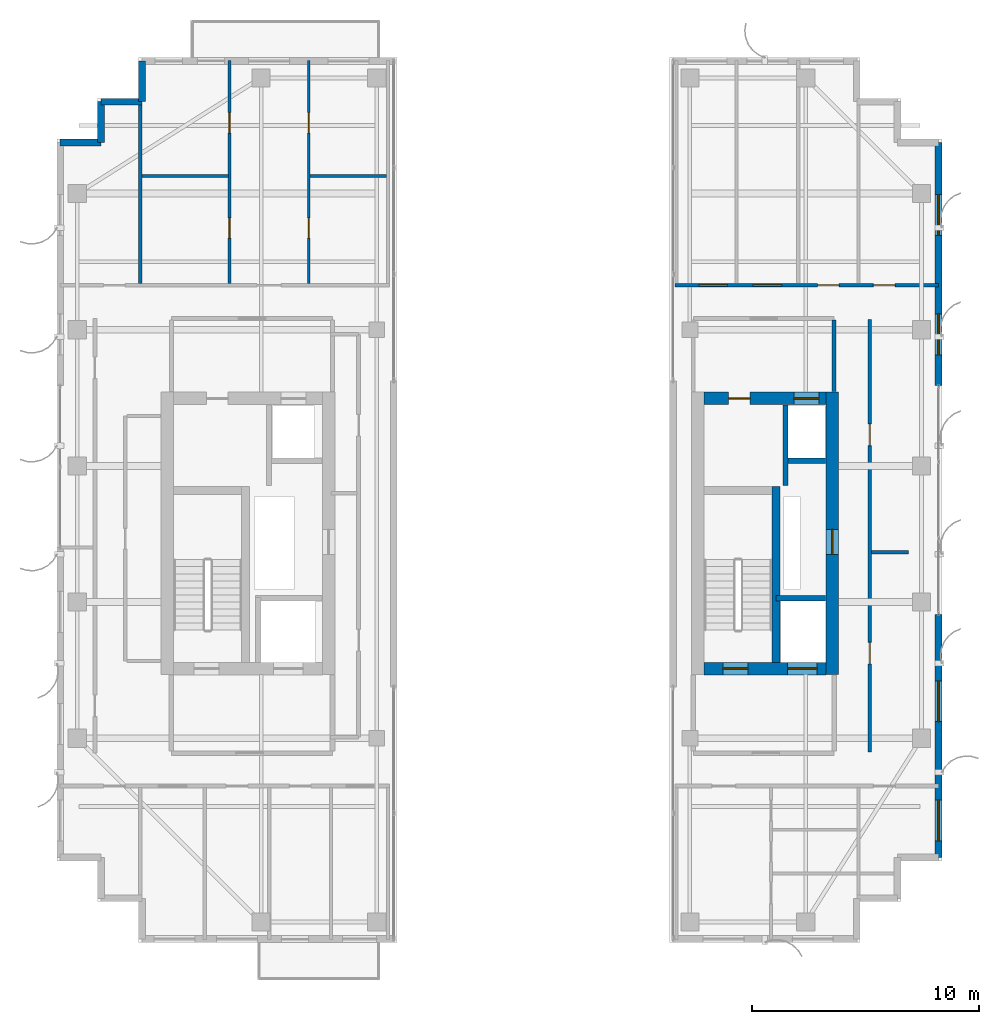
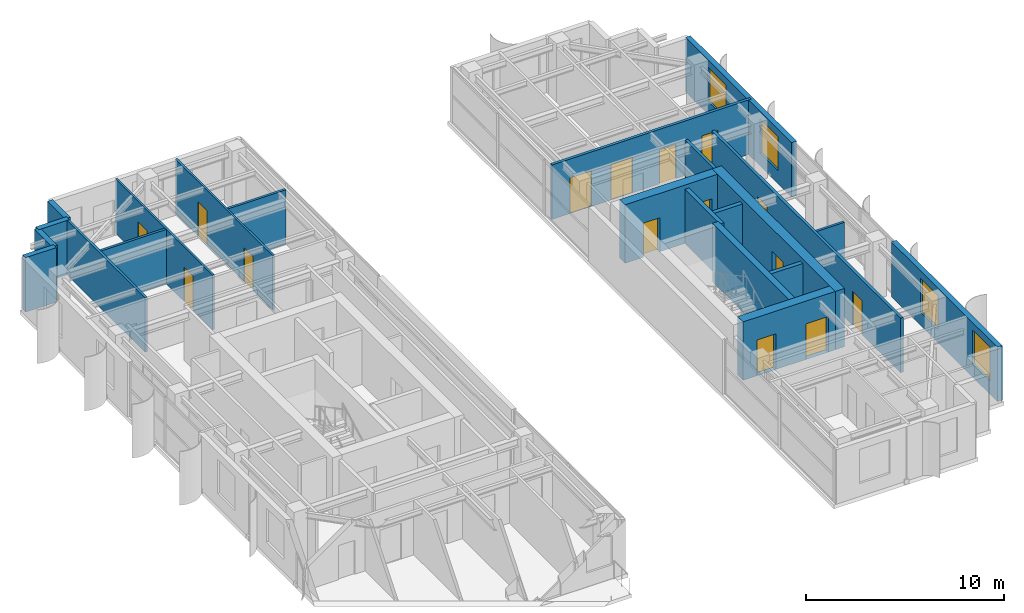
# One storey, part 19 of 23: 22 walls, 15 doors, 4 windows, 19 openings.
"""IFC4 building model written with IfcOpenShell, lengths in metres."""

from ifc_helpers import new_model, si_unit, direction, frame, frame_2d, origin, place, context, subcontext, project, spatial, rectangle, extrude, source, transform, mapped, material, layer, layer_set, type_object, element, fill, save


model = new_model("IFC4")

# Units and contexts
model_context = context("Model", 3, precision=1e-05, world=origin(), true_north=direction((0.0, 1.0)))
body_context = subcontext(model_context, "Body", "Model", "MODEL_VIEW")
ifc_project = project(units=[si_unit("LENGTHUNIT", "METRE"), si_unit("AREAUNIT", "SQUARE_METRE"), si_unit("VOLUMEUNIT", "CUBIC_METRE"), si_unit("PLANEANGLEUNIT", "RADIAN"), si_unit("MASSUNIT", "GRAM", prefix="KILO")], contexts=[model_context])

# Site, building, storey
site_placement = place(None, origin())
site = spatial("IfcSite", under=ifc_project, at=site_placement, CompositionType="ELEMENT")
building_placement = place(site_placement, origin())
building = spatial("IfcBuilding", under=site, at=building_placement, Name="Khoralis Quay Care Tower", CompositionType="ELEMENT")
storey_placement = place(building_placement, frame((0.0, 0.0, 245.699951171875)))
storey = spatial("IfcBuildingStorey", under=building, at=storey_placement, Name="L64", CompositionType="ELEMENT", Elevation=245.699951171875)

# Wall, opening, door
ifc_material_1 = material(Name="Concrete C65/80", Category="concrete")
ifc_layer_1 = layer(ifc_material_1, 0.550048828125)
ifc_layer_set_1 = layer_set([ifc_layer_1], Name="Concrete C65/80")
wall_type_1 = type_object("IfcWallType", Name="WL-CORE-550", PredefinedType="SHEAR", material=ifc_layer_set_1)
wall_1_placement = place(storey_placement, frame((37.175048828125, 14.800048828125, 0.0), z_axis=(0.0, 0.0, 1.0), x_axis=(0.0, 1.0, 0.0)))
wall_1 = element("IfcWall", 1, at=wall_1_placement, inside=storey, type_object=wall_type_1, Name="L64 ECORE East Shear Wall", PredefinedType="SHEAR", context=body_context, shape_type="SweptSolid", body=[
    extrude(rectangle(XDim=12.449951171875, YDim=0.550048828125, at=frame_2d((6.22509765625, 0.0))), origin(), (0.0, 0.0, 1.0), 3.60009765625),
])
opening_1_placement = place(wall_1_placement, frame((5.300048828125, 0.0, 0.0)))
opening_1 = element("IfcOpeningElement", 2, at=opening_1_placement, cuts=wall_1, Name="Opening SD1", PredefinedType="OPENING", context=body_context, shape_type="SweptSolid", body=[
    extrude(rectangle(XDim=1.10009765625, YDim=2.199951171875, at=frame_2d((0.550048828125, 1.10009765625))), frame((0.0, 0.28515625, 0.0), z_axis=(0.0, -1.0, 0.0), x_axis=(1.0, 0.0, 0.0)), (0.0, 0.0, 1.0), 0.570068359375),
])
ifc_material_2 = material(Name="Fire-rated painted steel", Category="steel")
door_type_1 = type_object("IfcDoorType", Name="DR-STAIR-1100X2200", OperationType="NOTDEFINED", PredefinedType="DOOR", material=ifc_material_2)
shared_shape_1 = source(origin(), body_context, "Body", "SweptSolid", [
    extrude(rectangle(XDim=1.10009765625, YDim=2.199951171875, at=frame_2d((0.550048828125, 1.10009765625))), frame((0.0, 0.02490234375, 0.0), z_axis=(0.0, -1.0, 0.0), x_axis=(1.0, 0.0, 0.0)), (0.0, 0.0, 1.0), 0.050048828125),
])
door_1_placement = place(opening_1_placement, frame((1.10009765625, 0.0, 0.0), z_axis=(0.0, 0.0, 1.0), x_axis=(-1.0, 0.0, 0.0)))
door_1 = element("IfcDoor", 3, at=door_1_placement, inside=storey, type_object=door_type_1, Name="L64 East MEP Riser Door", OperationType="SINGLE_SWING_LEFT", OverallHeight=2.199951171875, OverallWidth=1.10009765625, PredefinedType="DOOR", context=body_context, shape_type="MappedRepresentation", body=[
    mapped(shared_shape_1, transform((0.0, 0.0, 0.0), scale=1.0)),
])
fill(opening_1, door_1)

# Wall, openings, doors
wall_2_placement = place(storey_placement, frame((31.52001953125, 15.074951171875, 0.0), z_axis=(0.0, 0.0, 1.0), x_axis=(1.0, 0.0, 0.0)))
wall_2 = element("IfcWall", 4, at=wall_2_placement, inside=storey, type_object=wall_type_1, Name="L64 ECORE South Shear Wall", PredefinedType="SHEAR", context=body_context, shape_type="SweptSolid", body=[
    extrude(rectangle(XDim=5.3798828125, YDim=0.550048828125, at=frame_2d((2.68994140625, 0.0))), origin(), (0.0, 0.0, 1.0), 3.60009765625),
])
opening_2_placement = place(wall_2_placement, frame((0.830078125, 0.0, 0.0)))
opening_2 = element("IfcOpeningElement", 5, at=opening_2_placement, cuts=wall_2, Name="Opening SD1", PredefinedType="OPENING", context=body_context, shape_type="SweptSolid", body=[
    extrude(rectangle(XDim=1.10009765625, YDim=2.199951171875, at=frame_2d((0.550048828125, 1.10009765625))), frame((0.0, 0.28515625, 0.0), z_axis=(0.0, -1.0, 0.0), x_axis=(1.0, 0.0, 0.0)), (0.0, 0.0, 1.0), 0.570068359375),
])
opening_3_placement = place(wall_2_placement, frame((3.679931640625, 0.0, 0.0)))
opening_3 = element("IfcOpeningElement", 6, at=opening_3_placement, cuts=wall_2, Name="Opening LD2", PredefinedType="OPENING", context=body_context, shape_type="SweptSolid", body=[
    extrude(rectangle(XDim=1.300048828125, YDim=2.199951171875, at=frame_2d((0.64990234375, 1.10009765625))), frame((0.0, 0.28515625, 0.0), z_axis=(0.0, -1.0, 0.0), x_axis=(1.0, 0.0, 0.0)), (0.0, 0.0, 1.0), 0.570068359375),
])
door_2_placement = place(opening_2_placement, origin())
door_2 = element("IfcDoor", 7, at=door_2_placement, inside=storey, type_object=door_type_1, Name="L64 Stair ST-T2 Fire Door", OperationType="SINGLE_SWING_LEFT", OverallHeight=2.199951171875, OverallWidth=1.10009765625, PredefinedType="DOOR", context=body_context, shape_type="MappedRepresentation", body=[
    mapped(shared_shape_1, transform((0.0, 0.0, 0.0), scale=1.0)),
])
fill(opening_2, door_2)
ifc_material_3 = material(Name="Brushed stainless steel", Category="steel")
door_type_2 = type_object("IfcDoorType", Name="DR-LIFT-1300X2200", OperationType="SLIDING_TO_RIGHT", PredefinedType="DOOR", material=ifc_material_3)
shared_shape_2 = source(origin(), body_context, "Body", "SweptSolid", [
    extrude(rectangle(XDim=1.300048828125, YDim=2.199951171875, at=frame_2d((0.64990234375, 1.10009765625))), frame((0.0, 0.02490234375, 0.0), z_axis=(0.0, -1.0, 0.0), x_axis=(1.0, 0.0, 0.0)), (0.0, 0.0, 1.0), 0.050048828125),
])
door_3_placement = place(opening_3_placement, origin())
door_3 = element("IfcDoor", 8, at=door_3_placement, inside=storey, type_object=door_type_2, Name="L64 Firefighting Lift FFL-2 Landing Door", OperationType="SLIDING_TO_RIGHT", OverallHeight=2.199951171875, OverallWidth=1.300048828125, PredefinedType="DOOR", context=body_context, shape_type="MappedRepresentation", body=[
    mapped(shared_shape_2, transform((0.0, 0.0, 0.0), scale=1.0)),
])
fill(opening_3, door_3)

wall_3_placement = place(storey_placement, frame((31.52001953125, 26.97509765625, 0.0), z_axis=(0.0, 0.0, 1.0), x_axis=(1.0, 0.0, 0.0)))
wall_3 = element("IfcWall", 9, at=wall_3_placement, inside=storey, type_object=wall_type_1, Name="L64 ECORE North Shear Wall", PredefinedType="SHEAR", context=body_context, shape_type="SweptSolid", body=[
    extrude(rectangle(XDim=5.3798828125, YDim=0.550048828125, at=frame_2d((2.68994140625, 0.0))), origin(), (0.0, 0.0, 1.0), 3.60009765625),
])
opening_4_placement = place(wall_3_placement, frame((1.080078125, 0.0, 0.0)))
opening_4 = element("IfcOpeningElement", 10, at=opening_4_placement, cuts=wall_3, Name="Opening ID1", PredefinedType="OPENING", context=body_context, shape_type="SweptSolid", body=[
    extrude(rectangle(XDim=0.949951171875, YDim=2.10009765625, at=frame_2d((0.47509765625, 1.050048828125))), frame((0.0, 0.28515625, 0.0), z_axis=(0.0, -1.0, 0.0), x_axis=(1.0, 0.0, 0.0)), (0.0, 0.0, 1.0), 0.570068359375),
])
opening_5_placement = place(wall_3_placement, frame((3.9599609375, 0.0, 0.0)))
opening_5 = element("IfcOpeningElement", 11, at=opening_5_placement, cuts=wall_3, Name="Opening LD1", PredefinedType="OPENING", context=body_context, shape_type="SweptSolid", body=[
    extrude(rectangle(XDim=1.10009765625, YDim=2.199951171875, at=frame_2d((0.550048828125, 1.10009765625))), frame((0.0, 0.28515625, 0.0), z_axis=(0.0, -1.0, 0.0), x_axis=(1.0, 0.0, 0.0)), (0.0, 0.0, 1.0), 0.570068359375),
])
door_type_3 = type_object("IfcDoorType", Name="DR-LIFT-1100X2200", OperationType="SLIDING_TO_LEFT", PredefinedType="DOOR", material=ifc_material_3)
shared_shape_3 = source(origin(), body_context, "Body", "SweptSolid", [
    extrude(rectangle(XDim=1.10009765625, YDim=2.199951171875, at=frame_2d((0.550048828125, 1.10009765625))), frame((0.0, 0.02490234375, 0.0), z_axis=(0.0, -1.0, 0.0), x_axis=(1.0, 0.0, 0.0)), (0.0, 0.0, 1.0), 0.050048828125),
])
door_4_placement = place(opening_5_placement, origin())
door_4 = element("IfcDoor", 12, at=door_4_placement, inside=storey, type_object=door_type_3, Name="L64 Lift PLH2 Landing Door", OperationType="SLIDING_TO_LEFT", OverallHeight=2.199951171875, OverallWidth=1.10009765625, PredefinedType="DOOR", context=body_context, shape_type="MappedRepresentation", body=[
    mapped(shared_shape_3, transform((0.0, 0.0, 0.0), scale=1.0)),
])
fill(opening_5, door_4)
ifc_material_4 = material(Name="Acoustic hardwood timber", Category="wood")
door_type_4 = type_object("IfcDoorType", Name="DR-ROOM-950X2100", OperationType="NOTDEFINED", PredefinedType="DOOR", material=ifc_material_4)
shared_shape_4 = source(origin(), body_context, "Body", "SweptSolid", [
    extrude(rectangle(XDim=0.949951171875, YDim=2.10009765625, at=frame_2d((0.47509765625, 1.050048828125))), frame((0.0, 0.02490234375, 0.0), z_axis=(0.0, -1.0, 0.0), x_axis=(1.0, 0.0, 0.0)), (0.0, 0.0, 1.0), 0.050048828125),
])
door_5_placement = place(opening_4_placement, frame((0.949951171875, 0.0, 0.0), z_axis=(0.0, 0.0, 1.0), x_axis=(-1.0, 0.0, 0.0)))
door_5 = element("IfcDoor", 13, at=door_5_placement, inside=storey, type_object=door_type_4, Name="L64 Rehab Studio Door", OperationType="SINGLE_SWING_LEFT", OverallHeight=2.10009765625, OverallWidth=0.949951171875, PredefinedType="DOOR", context=body_context, shape_type="MappedRepresentation", body=[
    mapped(shared_shape_4, transform((0.0, 0.0, 0.0), scale=1.0)),
])
fill(opening_4, door_5)

# Wall
ifc_material_5 = material(Name="Gypsum plasterboard on acoustic metal stud")
ifc_layer_2 = layer(ifc_material_5, 0.1650390625)
ifc_layer_set_2 = layer_set([ifc_layer_2], Name="Gypsum plasterboard on acoustic metal stud")
wall_type_2 = type_object("IfcWallType", Name="WL-CORR-165", PredefinedType="PARTITIONING", material=ifc_layer_set_2)
wall_4_placement = place(storey_placement, frame((37.25, 27.27001953125, 0.0), z_axis=(0.0, 0.0, 1.0), x_axis=(0.0, 1.0, 0.0)))
element("IfcWall", 14, at=wall_4_placement, inside=storey, type_object=wall_type_2, Name="L64 East Lift Lobby East Wall", PredefinedType="PARTITIONING", context=body_context, shape_type="SweptSolid", body=[
    extrude(rectangle(XDim=3.152587890625, YDim=0.1650390625, at=frame_2d((1.576171875, 0.0))), origin(), (0.0, 0.0, 1.0), 3.360107421875),
])

# Wall, openings, doors
wall_5_placement = place(storey_placement, frame((30.25, 31.9599609375, 0.0), z_axis=(0.0, 0.0, 1.0), x_axis=(1.0, 0.0, 0.0)))
wall_5 = element("IfcWall", 15, at=wall_5_placement, inside=storey, type_object=wall_type_2, Name="L64 East Wing North Corridor Wall", PredefinedType="PARTITIONING", context=body_context, shape_type="SweptSolid", body=[
    extrude(rectangle(XDim=11.60498046875, YDim=0.1650390625, at=frame_2d((5.802490234375, 0.0))), origin(), (0.0, 0.0, 1.0), 3.360107421875),
])
opening_6_placement = place(wall_5_placement, frame((1.050048828125, 0.0, 0.0)))
opening_6 = element("IfcOpeningElement", 16, at=opening_6_placement, cuts=wall_5, Name="Opening CD1", PredefinedType="OPENING", context=body_context, shape_type="SweptSolid", body=[
    extrude(rectangle(XDim=1.25, YDim=2.199951171875, at=frame_2d((0.625, 1.10009765625))), frame((0.0, 0.092529296875, 0.0), z_axis=(0.0, -1.0, 0.0), x_axis=(1.0, 0.0, 0.0)), (0.0, 0.0, 1.0), 0.18505859375),
])
opening_7_placement = place(wall_5_placement, frame((3.43505859375, 0.0, 0.0)))
opening_7 = element("IfcOpeningElement", 17, at=opening_7_placement, cuts=wall_5, Name="Opening CD1", PredefinedType="OPENING", context=body_context, shape_type="SweptSolid", body=[
    extrude(rectangle(XDim=1.25, YDim=2.199951171875, at=frame_2d((0.625, 1.10009765625))), frame((0.0, 0.092529296875, 0.0), z_axis=(0.0, -1.0, 0.0), x_axis=(1.0, 0.0, 0.0)), (0.0, 0.0, 1.0), 0.18505859375),
])
opening_8_placement = place(wall_5_placement, frame((6.27001953125, 0.0, 0.0)))
opening_8 = element("IfcOpeningElement", 18, at=opening_8_placement, cuts=wall_5, Name="Opening ID1", PredefinedType="OPENING", context=body_context, shape_type="SweptSolid", body=[
    extrude(rectangle(XDim=0.949951171875, YDim=2.10009765625, at=frame_2d((0.47509765625, 1.050048828125))), frame((0.0, 0.092529296875, 0.0), z_axis=(0.0, -1.0, 0.0), x_axis=(1.0, 0.0, 0.0)), (0.0, 0.0, 1.0), 0.18505859375),
])
opening_9_placement = place(wall_5_placement, frame((8.735107421875, 0.0, 0.0)))
opening_9 = element("IfcOpeningElement", 19, at=opening_9_placement, cuts=wall_5, Name="Opening ID1", PredefinedType="OPENING", context=body_context, shape_type="SweptSolid", body=[
    extrude(rectangle(XDim=0.949951171875, YDim=2.10009765625, at=frame_2d((0.47509765625, 1.050048828125))), frame((0.0, 0.092529296875, 0.0), z_axis=(0.0, -1.0, 0.0), x_axis=(1.0, 0.0, 0.0)), (0.0, 0.0, 1.0), 0.18505859375),
])
door_type_5 = type_object("IfcDoorType", Name="DR-CARE-1250X2200", OperationType="NOTDEFINED", PredefinedType="DOOR", material=ifc_material_4)
shared_shape_5 = source(origin(), body_context, "Body", "SweptSolid", [
    extrude(rectangle(XDim=1.25, YDim=2.199951171875, at=frame_2d((0.625, 1.10009765625))), frame((0.0, 0.02490234375, 0.0), z_axis=(0.0, -1.0, 0.0), x_axis=(1.0, 0.0, 0.0)), (0.0, 0.0, 1.0), 0.050048828125),
])
door_6_placement = place(opening_6_placement, origin())
door_6 = element("IfcDoor", 20, at=door_6_placement, inside=storey, type_object=door_type_5, Name="L64 Physiotherapy Treatment Clinic Door", OperationType="SINGLE_SWING_LEFT", OverallHeight=2.199951171875, OverallWidth=1.25, PredefinedType="DOOR", context=body_context, shape_type="MappedRepresentation", body=[
    mapped(shared_shape_5, transform((0.0, 0.0, 0.0), scale=1.0)),
])
fill(opening_6, door_6)
door_7_placement = place(opening_7_placement, origin())
door_7 = element("IfcDoor", 21, at=door_7_placement, inside=storey, type_object=door_type_5, Name="L64 Geriatric Consultation Clinic Door", OperationType="SINGLE_SWING_RIGHT", OverallHeight=2.199951171875, OverallWidth=1.25, PredefinedType="DOOR", context=body_context, shape_type="MappedRepresentation", body=[
    mapped(shared_shape_5, transform((0.0, 0.0, 0.0), scale=1.0)),
])
fill(opening_7, door_7)
door_8_placement = place(opening_8_placement, origin())
door_8 = element("IfcDoor", 22, at=door_8_placement, inside=storey, type_object=door_type_4, Name="L64 Care Coordination Office Door", OperationType="SINGLE_SWING_RIGHT", OverallHeight=2.10009765625, OverallWidth=0.949951171875, PredefinedType="DOOR", context=body_context, shape_type="MappedRepresentation", body=[
    mapped(shared_shape_4, transform((0.0, 0.0, 0.0), scale=1.0)),
])
fill(opening_8, door_8)
door_9_placement = place(opening_9_placement, origin())
door_9 = element("IfcDoor", 23, at=door_9_placement, inside=storey, type_object=door_type_4, Name="L64 NE Corner Door", OperationType="SINGLE_SWING_LEFT", OverallHeight=2.10009765625, OverallWidth=0.949951171875, PredefinedType="DOOR", context=body_context, shape_type="MappedRepresentation", body=[
    mapped(shared_shape_4, transform((0.0, 0.0, 0.0), scale=1.0)),
])
fill(opening_9, door_9)

wall_6_placement = place(storey_placement, frame((38.820068359375, 11.39990234375, 0.0), z_axis=(0.0, 0.0, 1.0), x_axis=(0.0, 1.0, 0.0)))
wall_6 = element("IfcWall", 24, at=wall_6_placement, inside=storey, type_object=wall_type_2, Name="L64 East High-Rise Suite Wall", PredefinedType="PARTITIONING", context=body_context, shape_type="SweptSolid", body=[
    extrude(rectangle(XDim=19.050048828125, YDim=0.1650390625, at=frame_2d((9.52490234375, 0.0))), origin(), (0.0, 0.0, 1.0), 3.360107421875),
])
opening_10_placement = place(wall_6_placement, frame((3.875, 0.0, 0.0)))
opening_10 = element("IfcOpeningElement", 25, at=opening_10_placement, cuts=wall_6, Name="Opening ID1", PredefinedType="OPENING", context=body_context, shape_type="SweptSolid", body=[
    extrude(rectangle(XDim=0.949951171875, YDim=2.10009765625, at=frame_2d((0.47509765625, 1.050048828125))), frame((0.0, 0.092529296875, 0.0), z_axis=(0.0, -1.0, 0.0), x_axis=(1.0, 0.0, 0.0)), (0.0, 0.0, 1.0), 0.18505859375),
])
opening_11_placement = place(wall_6_placement, frame((13.5, 0.0, 0.0)))
opening_11 = element("IfcOpeningElement", 26, at=opening_11_placement, cuts=wall_6, Name="Opening ID1", PredefinedType="OPENING", context=body_context, shape_type="SweptSolid", body=[
    extrude(rectangle(XDim=0.949951171875, YDim=2.10009765625, at=frame_2d((0.47509765625, 1.050048828125))), frame((0.0, 0.092529296875, 0.0), z_axis=(0.0, -1.0, 0.0), x_axis=(1.0, 0.0, 0.0)), (0.0, 0.0, 1.0), 0.18505859375),
])
door_10_placement = place(opening_10_placement, origin())
door_10 = element("IfcDoor", 27, at=door_10_placement, inside=storey, type_object=door_type_4, Name="L64 East High-Rise Rehab Clinic Door", OperationType="SINGLE_SWING_LEFT", OverallHeight=2.10009765625, OverallWidth=0.949951171875, PredefinedType="DOOR", context=body_context, shape_type="MappedRepresentation", body=[
    mapped(shared_shape_4, transform((0.0, 0.0, 0.0), scale=1.0)),
])
fill(opening_10, door_10)
door_11_placement = place(opening_11_placement, origin())
door_11 = element("IfcDoor", 28, at=door_11_placement, inside=storey, type_object=door_type_4, Name="L64 East High-Rise Reading Suite Door", OperationType="SINGLE_SWING_RIGHT", OverallHeight=2.10009765625, OverallWidth=0.949951171875, PredefinedType="DOOR", context=body_context, shape_type="MappedRepresentation", body=[
    mapped(shared_shape_4, transform((0.0, 0.0, 0.0), scale=1.0)),
])
fill(opening_11, door_11)

# Walls
ifc_material_6 = material(Name="Precast concrete C45/55", Category="concrete")
ifc_layer_3 = layer(ifc_material_6, 0.300048828125)
ifc_layer_set_3 = layer_set([ifc_layer_3], Name="Precast concrete C45/55")
wall_type_3 = type_object("IfcWallType", Name="WL-EXT-REF-300", PredefinedType="SOLIDWALL", material=ifc_layer_set_3)
for number, where, z_axis, x_axis, name in (
    (29, (6.75, 41.85009765625, 0.0), (0.0, 0.0, 1.0), (0.0, -1.0, 0.0), "L64 External Facade Wall WL-EXT-L64-P1-C3"),
    (30, (6.75, 40.050048828125, 0.0), (0.0, 0.0, 1.0), (-1.0, 0.0, 0.0), "L64 External Facade Wall WL-EXT-L64-P1-C4"),
    (31, (4.949951171875, 40.050048828125, 0.0), (0.0, 0.0, 1.0), (0.0, -1.0, 0.0), "L64 External Facade Wall WL-EXT-L64-P1-C5"),
    (32, (4.949951171875, 38.25, 0.0), (0.0, 0.0, 1.0), (-1.0, 0.0, 0.0), "L64 External Facade Wall WL-EXT-L64-P1-C6"),
):
    element("IfcWall", number, at=place(storey_placement, frame(where, z_axis=z_axis, x_axis=x_axis)), inside=storey, type_object=wall_type_3, Name=name, PredefinedType="SOLIDWALL", context=body_context, shape_type="SweptSolid", body=[
        extrude(rectangle(XDim=1.800048828125, YDim=0.300048828125, at=frame_2d((0.89990234375, 0.0))), origin(), (0.0, 0.0, 1.0), 3.360107421875),
    ])

# Wall, openings, windows
wall_7_placement = place(storey_placement, frame((41.85009765625, 6.75, 0.0), z_axis=(0.0, 0.0, 1.0), x_axis=(0.0, 1.0, 0.0)))
wall_7 = element("IfcWall", 33, at=wall_7_placement, inside=storey, type_object=wall_type_3, Name="L64 External Facade Wall WL-EXT-L64-P2-E5A", PredefinedType="SOLIDWALL", context=body_context, shape_type="SweptSolid", body=[
    extrude(rectangle(XDim=10.7099609375, YDim=0.300048828125, at=frame_2d((5.35498046875, 0.0))), origin(), (0.0, 0.0, 1.0), 3.360107421875),
])
opening_12_placement = place(wall_7_placement, frame((0.72509765625, 0.0, 0.800048828125)))
opening_12 = element("IfcOpeningElement", 34, at=opening_12_placement, cuts=wall_7, Name="Opening W2", PredefinedType="OPENING", context=body_context, shape_type="SweptSolid", body=[
    extrude(rectangle(XDim=1.800048828125, YDim=2.10009765625, at=frame_2d((0.89990234375, 1.050048828125))), frame((0.0, 0.16015625, 0.0), z_axis=(0.0, -1.0, 0.0), x_axis=(1.0, 0.0, 0.0)), (0.0, 0.0, 1.0), 0.320068359375),
])
opening_13_placement = place(wall_7_placement, frame((5.97998046875, 0.0, 0.800048828125)))
opening_13 = element("IfcOpeningElement", 35, at=opening_13_placement, cuts=wall_7, Name="Opening W2", PredefinedType="OPENING", context=body_context, shape_type="SweptSolid", body=[
    extrude(rectangle(XDim=1.800048828125, YDim=2.10009765625, at=frame_2d((0.89990234375, 1.050048828125))), frame((0.0, 0.16015625, 0.0), z_axis=(0.0, -1.0, 0.0), x_axis=(1.0, 0.0, 0.0)), (0.0, 0.0, 1.0), 0.320068359375),
])
ifc_material_7 = material(Name="Low-E solar-control double glazing", Category="glass")
window_type = type_object("IfcWindowType", Name="WN-POD-1800X2100", PartitioningType="SINGLE_PANEL", PredefinedType="WINDOW", material=ifc_material_7)
shared_shape_6 = source(origin(), body_context, "Body", "SweptSolid", [
    extrude(rectangle(XDim=1.800048828125, YDim=2.10009765625, at=frame_2d((0.89990234375, 1.050048828125))), frame((0.0, 0.030029296875, 0.0), z_axis=(0.0, -1.0, 0.0), x_axis=(1.0, 0.0, 0.0)), (0.0, 0.0, 1.0), 0.06005859375),
])
window_1_placement = place(opening_12_placement, origin())
window_1 = element("IfcWindow", 36, at=window_1_placement, inside=storey, type_object=window_type, Name="WN-L64-P2-E5A Facade Window 01", OverallHeight=2.10009765625, OverallWidth=1.800048828125, PartitioningType="SINGLE_PANEL", PredefinedType="WINDOW", context=body_context, shape_type="MappedRepresentation", body=[
    mapped(shared_shape_6, transform((0.0, 0.0, 0.0), scale=1.0)),
])
fill(opening_12, window_1)
window_2_placement = place(opening_13_placement, origin())
window_2 = element("IfcWindow", 37, at=window_2_placement, inside=storey, type_object=window_type, Name="WN-L64-P2-E5A Facade Window 02", OverallHeight=2.10009765625, OverallWidth=1.800048828125, PartitioningType="SINGLE_PANEL", PredefinedType="WINDOW", context=body_context, shape_type="MappedRepresentation", body=[
    mapped(shared_shape_6, transform((0.0, 0.0, 0.0), scale=1.0)),
])
fill(opening_13, window_2)

wall_8_placement = place(storey_placement, frame((41.85009765625, 27.5400390625, 0.0), z_axis=(0.0, 0.0, 1.0), x_axis=(0.0, 1.0, 0.0)))
wall_8 = element("IfcWall", 38, at=wall_8_placement, inside=storey, type_object=wall_type_3, Name="L64 External Facade Wall WL-EXT-L64-P2-E5B", PredefinedType="SOLIDWALL", context=body_context, shape_type="SweptSolid", body=[
    extrude(rectangle(XDim=10.7099609375, YDim=0.300048828125, at=frame_2d((5.35498046875, 0.0))), origin(), (0.0, 0.0, 1.0), 3.360107421875),
])
opening_14_placement = place(wall_8_placement, frame((1.360107421875, 0.0, 0.800048828125)))
opening_14 = element("IfcOpeningElement", 39, at=opening_14_placement, cuts=wall_8, Name="Opening W2", PredefinedType="OPENING", context=body_context, shape_type="SweptSolid", body=[
    extrude(rectangle(XDim=1.800048828125, YDim=2.10009765625, at=frame_2d((0.89990234375, 1.050048828125))), frame((0.0, 0.16015625, 0.0), z_axis=(0.0, -1.0, 0.0), x_axis=(1.0, 0.0, 0.0)), (0.0, 0.0, 1.0), 0.320068359375),
])
opening_15_placement = place(wall_8_placement, frame((6.614990234375, 0.0, 0.800048828125)))
opening_15 = element("IfcOpeningElement", 40, at=opening_15_placement, cuts=wall_8, Name="Opening W2", PredefinedType="OPENING", context=body_context, shape_type="SweptSolid", body=[
    extrude(rectangle(XDim=1.800048828125, YDim=2.10009765625, at=frame_2d((0.89990234375, 1.050048828125))), frame((0.0, 0.16015625, 0.0), z_axis=(0.0, -1.0, 0.0), x_axis=(1.0, 0.0, 0.0)), (0.0, 0.0, 1.0), 0.320068359375),
])
window_3_placement = place(opening_14_placement, origin())
window_3 = element("IfcWindow", 41, at=window_3_placement, inside=storey, type_object=window_type, Name="WN-L64-P2-E5B Facade Window 01", OverallHeight=2.10009765625, OverallWidth=1.800048828125, PartitioningType="SINGLE_PANEL", PredefinedType="WINDOW", context=body_context, shape_type="MappedRepresentation", body=[
    mapped(shared_shape_6, transform((0.0, 0.0, 0.0), scale=1.0)),
])
fill(opening_14, window_3)
window_4_placement = place(opening_15_placement, origin())
window_4 = element("IfcWindow", 42, at=window_4_placement, inside=storey, type_object=window_type, Name="WN-L64-P2-E5B Facade Window 02", OverallHeight=2.10009765625, OverallWidth=1.800048828125, PartitioningType="SINGLE_PANEL", PredefinedType="WINDOW", context=body_context, shape_type="MappedRepresentation", body=[
    mapped(shared_shape_6, transform((0.0, 0.0, 0.0), scale=1.0)),
])
fill(opening_15, window_4)

# Wall, openings, doors
ifc_layer_4 = layer(ifc_material_5, 0.114990234375)
ifc_layer_set_4 = layer_set([ifc_layer_4], Name="Gypsum plasterboard on acoustic metal stud")
wall_type_4 = type_object("IfcWallType", Name="WL-PART-115", PredefinedType="PARTITIONING", material=ifc_layer_set_4)
wall_9_placement = place(storey_placement, frame((10.611083984375, 32.03759765625, 0.0), z_axis=(0.0, 0.0, 1.0), x_axis=(0.0, 1.0, 0.0)))
wall_9 = element("IfcWall", 43, at=wall_9_placement, inside=storey, type_object=wall_type_4, Name="L64 2BR 0 Left Wall", PredefinedType="PARTITIONING", context=body_context, shape_type="SweptSolid", body=[
    extrude(rectangle(XDim=9.8173828125, YDim=0.114990234375, at=frame_2d((4.90869140625, 0.0))), origin(), (0.0, 0.0, 1.0), 3.360107421875),
])
opening_16_placement = place(wall_9_placement, frame((6.626953125, 0.0, 0.0)))
opening_16 = element("IfcOpeningElement", 44, at=opening_16_placement, cuts=wall_9, Name="Opening WD1", PredefinedType="OPENING", context=body_context, shape_type="SweptSolid", body=[
    extrude(rectangle(XDim=0.89990234375, YDim=2.10009765625, at=frame_2d((0.449951171875, 1.050048828125))), frame((0.0, 0.0673828125, 0.0), z_axis=(0.0, -1.0, 0.0), x_axis=(1.0, 0.0, 0.0)), (0.0, 0.0, 1.0), 0.135009765625),
])
opening_17_placement = place(wall_9_placement, frame((1.9970703125, 0.0, 0.0)))
opening_17 = element("IfcOpeningElement", 45, at=opening_17_placement, cuts=wall_9, Name="Opening WD1", PredefinedType="OPENING", context=body_context, shape_type="SweptSolid", body=[
    extrude(rectangle(XDim=0.89990234375, YDim=2.10009765625, at=frame_2d((0.449951171875, 1.050048828125))), frame((0.0, 0.0673828125, 0.0), z_axis=(0.0, -1.0, 0.0), x_axis=(1.0, 0.0, 0.0)), (0.0, 0.0, 1.0), 0.135009765625),
])
door_type_6 = type_object("IfcDoorType", Name="DR-BATH-900X2100", OperationType="NOTDEFINED", PredefinedType="DOOR", material=ifc_material_4)
shared_shape_7 = source(origin(), body_context, "Body", "SweptSolid", [
    extrude(rectangle(XDim=0.89990234375, YDim=2.10009765625, at=frame_2d((0.449951171875, 1.050048828125))), frame((0.0, 0.02490234375, 0.0), z_axis=(0.0, -1.0, 0.0), x_axis=(1.0, 0.0, 0.0)), (0.0, 0.0, 1.0), 0.050048828125),
])
door_12_placement = place(opening_16_placement, origin())
door_12 = element("IfcDoor", 46, at=door_12_placement, inside=storey, type_object=door_type_6, Name="L64 2BR BD1 Door", OperationType="SINGLE_SWING_RIGHT", OverallHeight=2.10009765625, OverallWidth=0.89990234375, PredefinedType="DOOR", context=body_context, shape_type="MappedRepresentation", body=[
    mapped(shared_shape_7, transform((0.0, 0.0, 0.0), scale=1.0)),
])
fill(opening_16, door_12)
door_13_placement = place(opening_17_placement, origin())
door_13 = element("IfcDoor", 47, at=door_13_placement, inside=storey, type_object=door_type_6, Name="L64 2BR BTH Door", OperationType="SINGLE_SWING_LEFT", OverallHeight=2.10009765625, OverallWidth=0.89990234375, PredefinedType="DOOR", context=body_context, shape_type="MappedRepresentation", body=[
    mapped(shared_shape_7, transform((0.0, 0.0, 0.0), scale=1.0)),
])
fill(opening_17, door_13)

wall_10_placement = place(storey_placement, frame((14.10595703125, 32.03759765625, 0.0), z_axis=(0.0, 0.0, 1.0), x_axis=(0.0, 1.0, 0.0)))
wall_10 = element("IfcWall", 48, at=wall_10_placement, inside=storey, type_object=wall_type_4, Name="L64 2BR 0 Right Wall", PredefinedType="PARTITIONING", context=body_context, shape_type="SweptSolid", body=[
    extrude(rectangle(XDim=9.8173828125, YDim=0.114990234375, at=frame_2d((4.90869140625, 0.0))), origin(), (0.0, 0.0, 1.0), 3.360107421875),
])
opening_18_placement = place(wall_10_placement, frame((6.626953125, 0.0, 0.0)))
opening_18 = element("IfcOpeningElement", 49, at=opening_18_placement, cuts=wall_10, Name="Opening WD1", PredefinedType="OPENING", context=body_context, shape_type="SweptSolid", body=[
    extrude(rectangle(XDim=0.89990234375, YDim=2.10009765625, at=frame_2d((0.449951171875, 1.050048828125))), frame((0.0, 0.0673828125, 0.0), z_axis=(0.0, -1.0, 0.0), x_axis=(1.0, 0.0, 0.0)), (0.0, 0.0, 1.0), 0.135009765625),
])
opening_19_placement = place(wall_10_placement, frame((1.9970703125, 0.0, 0.0)))
opening_19 = element("IfcOpeningElement", 50, at=opening_19_placement, cuts=wall_10, Name="Opening WD1", PredefinedType="OPENING", context=body_context, shape_type="SweptSolid", body=[
    extrude(rectangle(XDim=0.89990234375, YDim=2.10009765625, at=frame_2d((0.449951171875, 1.050048828125))), frame((0.0, 0.0673828125, 0.0), z_axis=(0.0, -1.0, 0.0), x_axis=(1.0, 0.0, 0.0)), (0.0, 0.0, 1.0), 0.135009765625),
])
door_14_placement = place(opening_18_placement, frame((0.89990234375, 0.0, 0.0), z_axis=(0.0, 0.0, 1.0), x_axis=(-1.0, 0.0, 0.0)))
door_14 = element("IfcDoor", 51, at=door_14_placement, inside=storey, type_object=door_type_6, Name="L64 2BR BD2 Door", OperationType="SINGLE_SWING_RIGHT", OverallHeight=2.10009765625, OverallWidth=0.89990234375, PredefinedType="DOOR", context=body_context, shape_type="MappedRepresentation", body=[
    mapped(shared_shape_7, transform((0.0, 0.0, 0.0), scale=1.0)),
])
fill(opening_18, door_14)
door_15_placement = place(opening_19_placement, frame((0.89990234375, 0.0, 0.0), z_axis=(0.0, 0.0, 1.0), x_axis=(-1.0, 0.0, 0.0)))
door_15 = element("IfcDoor", 52, at=door_15_placement, inside=storey, type_object=door_type_6, Name="L64 2BR KIT Door", OperationType="SINGLE_SWING_LEFT", OverallHeight=2.10009765625, OverallWidth=0.89990234375, PredefinedType="DOOR", context=body_context, shape_type="MappedRepresentation", body=[
    mapped(shared_shape_7, transform((0.0, 0.0, 0.0), scale=1.0)),
])
fill(opening_19, door_15)

# Walls
ifc_material_8 = material(Name="Moisture-resistant gypsum and ceramic tile")
ifc_layer_5 = layer(ifc_material_8, 0.280029296875)
ifc_layer_set_5 = layer_set([ifc_layer_5], Name="Moisture-resistant gypsum and ceramic tile")
wall_type_5 = type_object("IfcWallType", Name="WL-PLUMB-280", PredefinedType="PLUMBINGWALL", material=ifc_layer_set_5)
wall_11_placement = place(storey_placement, frame((6.7451171875, 36.779052734375, 0.0), z_axis=(0.0, 0.0, 1.0), x_axis=(1.0, 0.0, 0.0)))
element("IfcWall", 53, at=wall_11_placement, inside=storey, type_object=wall_type_5, Name="L64 2BR 0 Left Split", PredefinedType="PLUMBINGWALL", context=body_context, shape_type="SweptSolid", body=[
    extrude(rectangle(XDim=3.8134765625, YDim=0.139892578125, at=frame_2d((1.90673828125, 0.0))), origin(), (0.0, 0.0, 1.0), 3.360107421875),
])
wall_12_placement = place(storey_placement, frame((14.158447265625, 36.779052734375, 0.0), z_axis=(0.0, 0.0, 1.0), x_axis=(1.0, 0.0, 0.0)))
element("IfcWall", 54, at=wall_12_placement, inside=storey, type_object=wall_type_5, Name="L64 2BR 0 Right Split", PredefinedType="PLUMBINGWALL", context=body_context, shape_type="SweptSolid", body=[
    extrude(rectangle(XDim=3.37646484375, YDim=0.139892578125, at=frame_2d((1.688232421875, 0.0))), origin(), (0.0, 0.0, 1.0), 3.360107421875),
])
ifc_material_9 = material(Name="Concrete C40/50", Category="concrete")
ifc_layer_6 = layer(ifc_material_9, 0.35009765625)
ifc_layer_set_6 = layer_set([ifc_layer_6], Name="Concrete C40/50")
wall_type_6 = type_object("IfcWallType", Name="WL-SC-CORE-350", PredefinedType="SHEAR", material=ifc_layer_set_6)
wall_13_placement = place(storey_placement, frame((34.695068359375, 15.35009765625, 0.0), z_axis=(0.0, 0.0, 1.0), x_axis=(0.0, 1.0, 0.0)))
element("IfcWall", 55, at=wall_13_placement, inside=storey, type_object=wall_type_6, Name="L64 Stair ST-T2 Shear Baffle Wall East", PredefinedType="SHEAR", context=body_context, shape_type="SweptSolid", body=[
    extrude(rectangle(XDim=7.75, YDim=0.35009765625, at=frame_2d((3.875, 0.0))), origin(), (0.0, 0.0, 1.0), 3.60009765625),
])
ifc_layer_7 = layer(ifc_material_5, 0.239990234375)
ifc_layer_set_7 = layer_set([ifc_layer_7], Name="Gypsum plasterboard on acoustic metal stud")
wall_type_7 = type_object("IfcWallType", Name="WL-SHAFT-240", PredefinedType="PARTITIONING", material=ifc_layer_set_7)
wall_14_placement = place(storey_placement, frame((34.679931640625, 18.169921875, 0.0), z_axis=(0.0, 0.0, 1.0), x_axis=(1.0, 0.0, 0.0)))
element("IfcWall", 56, at=wall_14_placement, inside=storey, type_object=wall_type_7, Name="L64 FFL-2 Shaft Wall North", PredefinedType="PARTITIONING", context=body_context, shape_type="SweptSolid", body=[
    extrude(rectangle(XDim=2.199951171875, YDim=0.239990234375, at=frame_2d((1.10009765625, 0.0))), origin(), (0.0, 0.0, 1.0), 3.360107421875),
])
wall_15_placement = place(storey_placement, frame((35.110107421875, 23.139892578125, 0.0), z_axis=(0.0, 0.0, 1.0), x_axis=(0.0, 1.0, 0.0)))
element("IfcWall", 57, at=wall_15_placement, inside=storey, type_object=wall_type_7, Name="L64 High-Rise Reclaimed Bay Wall East", PredefinedType="PARTITIONING", context=body_context, shape_type="SweptSolid", body=[
    extrude(rectangle(XDim=3.5400390625, YDim=0.239990234375, at=frame_2d((1.77001953125, 0.0))), origin(), (0.0, 0.0, 1.0), 3.360107421875),
])
wall_16_placement = place(storey_placement, frame((35.22509765625, 24.22998046875, 0.0), z_axis=(0.0, 0.0, 1.0), x_axis=(1.0, 0.0, 0.0)))
element("IfcWall", 58, at=wall_16_placement, inside=storey, type_object=wall_type_7, Name="L64 High-Rise Shaft South Wall East", PredefinedType="PARTITIONING", context=body_context, shape_type="SweptSolid", body=[
    extrude(rectangle(XDim=1.65478515625, YDim=0.239990234375, at=frame_2d((0.827392578125, 0.0))), origin(), (0.0, 0.0, 1.0), 3.360107421875),
])
ifc_layer_8 = layer(ifc_material_5, 0.139892578125)
ifc_layer_set_8 = layer_set([ifc_layer_8], Name="Gypsum plasterboard on acoustic metal stud")
wall_type_8 = type_object("IfcWallType", Name="WL-UNIT-140", PredefinedType="PARTITIONING", material=ifc_layer_set_8)
wall_17_placement = place(storey_placement, frame((38.8974609375, 20.199951171875, 0.0), z_axis=(0.0, 0.0, 1.0), x_axis=(1.0, 0.0, 0.0)))
element("IfcWall", 59, at=wall_17_placement, inside=storey, type_object=wall_type_8, Name="L64 East High-Rise Split", PredefinedType="PARTITIONING", context=body_context, shape_type="SweptSolid", body=[
    extrude(rectangle(XDim=1.62255859375, YDim=0.139892578125, at=frame_2d((0.811279296875, 0.0))), origin(), (0.0, 0.0, 1.0), 3.360107421875),
])
wall_18_placement = place(storey_placement, frame((6.679931640625, 32.03759765625, 0.0), z_axis=(0.0, 0.0, 1.0), x_axis=(0.0, 1.0, 0.0)))
element("IfcWall", 60, at=wall_18_placement, inside=storey, type_object=wall_type_8, Name="L64 WN Demising Wall 0", PredefinedType="PARTITIONING", context=body_context, shape_type="SweptSolid", body=[
    extrude(rectangle(XDim=8.017333984375, YDim=0.139892578125, at=frame_2d((4.0087890625, 0.0))), origin(), (0.0, 0.0, 1.0), 3.360107421875),
])

save(model, "model.ifc")
